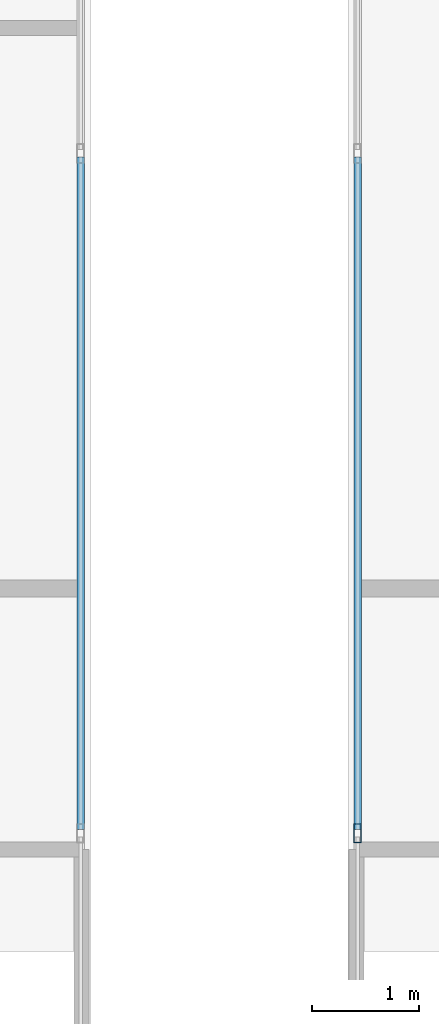
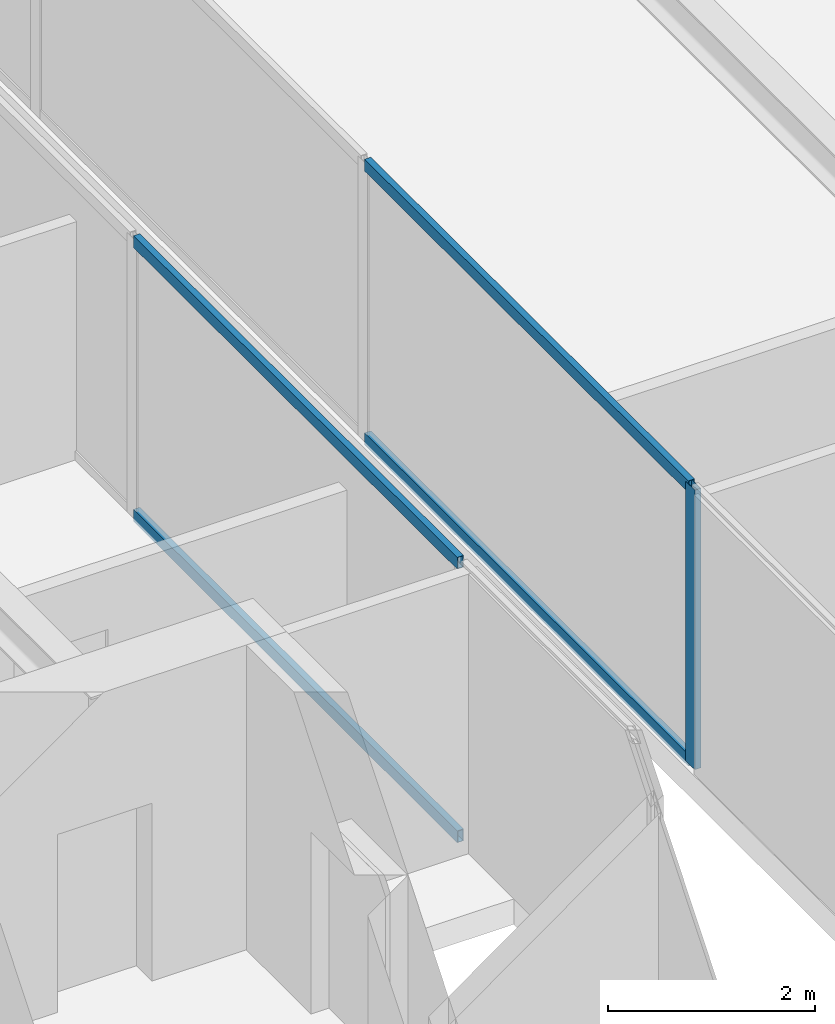
# One storey, part 12 of 25: 5 members, 2 elements without a shape of their own.
"""IFC4 building model written with IfcOpenShell, lengths in metres."""

from ifc_helpers import new_model, si_unit, direction, frame, origin, origin_2d, place, context, subcontext, project, spatial, hollow_rectangle, extrude, source, transform, mapped, material, material_profile, profile_set, type_object, type_shapes, element, aggregate, save


model = new_model("IFC4")

# Units and contexts
model_context = context("Model", 3, precision=1e-05, world=origin(), true_north=direction((0.0, 1.0)))
body_context = subcontext(model_context, "Body", "Model", "MODEL_VIEW")
ifc_project = project(units=[si_unit("LENGTHUNIT", "METRE"), si_unit("AREAUNIT", "SQUARE_METRE"), si_unit("VOLUMEUNIT", "CUBIC_METRE"), si_unit("PLANEANGLEUNIT", "RADIAN"), si_unit("MASSUNIT", "GRAM", prefix="KILO")], contexts=[model_context])

# Site, building, storey
site_placement = place(None, origin())
site = spatial("IfcSite", under=ifc_project, at=site_placement, CompositionType="ELEMENT")
building_placement = place(site_placement, origin())
building = spatial("IfcBuilding", under=site, at=building_placement, Name="Krantzveldt Concourse Tower", CompositionType="ELEMENT")
storey_placement = place(building_placement, frame((0.0, 0.0, 374.64990234375)))
storey = spatial("IfcBuildingStorey", under=building, at=storey_placement, Name="L92", CompositionType="ELEMENT", Elevation=374.64990234375)

# Curtain wall, members
ifc_material = material(Name="Anodised aluminium 6063-T6", Category="aluminium")
curtain_wall_type = type_object("IfcCurtainWallType", Name="CW7", PredefinedType="USERDEFINED", material=ifc_material)
curtain_wall_1_placement = place(storey_placement, origin())
curtain_wall_1 = element("IfcCurtainWall", 1, at=curtain_wall_1_placement, inside=storey, type_object=curtain_wall_type, Name="CW-L92-WEST-01", ObjectType="UNITISED CURTAIN WALL", PredefinedType="USERDEFINED")
ifc_material_profile_1 = material_profile(ifc_material, hollow_rectangle(XDim=0.070068359375, YDim=0.139892578125, WallThickness=0.0048828125, at=origin_2d()), Name="Anodised aluminium 6063-T6", Category="aluminium")
ifc_profile_set_1 = profile_set([ifc_material_profile_1], Name="Anodised aluminium 6063-T6 - ALU-TRAN 140x70x5")
member_type_1 = type_object("IfcMemberType", Name="CW-TRN-150", PredefinedType="USERDEFINED", material=ifc_profile_set_1)
shared_shape_1 = source(origin(), body_context, "Body", "SweptSolid", [
    extrude(hollow_rectangle(XDim=0.070068359375, YDim=0.139892578125, WallThickness=0.0048828125, at=origin_2d()), origin(), (0.0, 0.0, 1.0), 6.26318359375),
])
type_shapes(member_type_1, [shared_shape_1])
member_1_placement = place(storey_placement, frame((34.7099609375, 26.735107421875, 0.03515625), z_axis=(0.0, 1.0, 0.0), x_axis=(-1.0, 0.0, 0.0)))
member_1 = element("IfcMember", 2, at=member_1_placement, type_object=member_type_1, Name="CW-CRN transom 4.1", ObjectType="TRANSOM", PredefinedType="USERDEFINED", context=body_context, shape_type="MappedRepresentation", body=[
    mapped(shared_shape_1, transform((0.0, 0.0, 0.0), x_axis=(1.0, 0.0, 0.0), y_axis=(0.0, 1.0, 0.0), z_axis=(0.0, 0.0, 1.0), scale=1.0)),
])
member_2_placement = place(storey_placement, frame((34.7099609375, 26.735107421875, 3.26513671875), z_axis=(0.0, 1.0, 0.0), x_axis=(-1.0, 0.0, 0.0)))
member_2 = element("IfcMember", 3, at=member_2_placement, type_object=member_type_1, Name="CW-CRN transom 4.2", ObjectType="TRANSOM", PredefinedType="USERDEFINED", context=body_context, shape_type="MappedRepresentation", body=[
    mapped(shared_shape_1, transform((0.0, 0.0, 0.0), x_axis=(1.0, 0.0, 0.0), y_axis=(0.0, 1.0, 0.0), z_axis=(0.0, 0.0, 1.0), scale=1.0)),
])
aggregate(curtain_wall_1, [member_1, member_2])

curtain_wall_2_placement = place(storey_placement, origin())
curtain_wall_2 = element("IfcCurtainWall", 4, at=curtain_wall_2_placement, inside=storey, type_object=curtain_wall_type, Name="CW-L92-EAST-07", ObjectType="UNITISED CURTAIN WALL", PredefinedType="USERDEFINED")
member_3_placement = place(storey_placement, frame((37.2900390625, 32.998291015625, 0.03515625), z_axis=(0.0, -1.0, 0.0), x_axis=(1.0, 0.0, 0.0)))
member_3 = element("IfcMember", 5, at=member_3_placement, type_object=member_type_1, Name="CW-CRN transom 3.1", ObjectType="TRANSOM", PredefinedType="USERDEFINED", context=body_context, shape_type="MappedRepresentation", body=[
    mapped(shared_shape_1, transform((0.0, 0.0, 0.0), x_axis=(1.0, 0.0, 0.0), y_axis=(0.0, 1.0, 0.0), z_axis=(0.0, 0.0, 1.0), scale=1.0)),
])
member_4_placement = place(storey_placement, frame((37.2900390625, 32.998291015625, 3.26513671875), z_axis=(0.0, -1.0, 0.0), x_axis=(1.0, 0.0, 0.0)))
member_4 = element("IfcMember", 6, at=member_4_placement, type_object=member_type_1, Name="CW-CRN transom 3.2", ObjectType="TRANSOM", PredefinedType="USERDEFINED", context=body_context, shape_type="MappedRepresentation", body=[
    mapped(shared_shape_1, transform((0.0, 0.0, 0.0), x_axis=(1.0, 0.0, 0.0), y_axis=(0.0, 1.0, 0.0), z_axis=(0.0, 0.0, 1.0), scale=1.0)),
])
ifc_material_profile_2 = material_profile(ifc_material, hollow_rectangle(XDim=0.070068359375, YDim=0.179931640625, WallThickness=0.0048828125, at=origin_2d()), Name="Anodised aluminium 6063-T6", Category="aluminium")
ifc_profile_set_2 = profile_set([ifc_material_profile_2], Name="Anodised aluminium 6063-T6 - ALU-MULL 180x70x5")
member_type_2 = type_object("IfcMemberType", Name="CW-MUL-180", PredefinedType="MULLION", material=ifc_profile_set_2)
shared_shape_2 = source(origin(), body_context, "Body", "SweptSolid", [
    extrude(hollow_rectangle(XDim=0.070068359375, YDim=0.179931640625, WallThickness=0.0048828125, at=origin_2d()), origin(), (0.0, 0.0, 1.0), 3.300048828125),
])
type_shapes(member_type_2, [shared_shape_2])
member_5_placement = place(storey_placement, frame((37.2900390625, 26.699951171875, 0.0), z_axis=(0.0, 0.0, 1.0), x_axis=(1.0, 0.0, 0.0)))
member_5 = element("IfcMember", 7, at=member_5_placement, type_object=member_type_2, Name="CW-CRN mullion 4", PredefinedType="MULLION", context=body_context, shape_type="MappedRepresentation", body=[
    mapped(shared_shape_2, transform((0.0, 0.0, 0.0), x_axis=(1.0, 0.0, 0.0), y_axis=(0.0, 1.0, 0.0), z_axis=(0.0, 0.0, 1.0), scale=1.0)),
])
aggregate(curtain_wall_2, [member_5, member_3, member_4])

save(model, "model.ifc")
